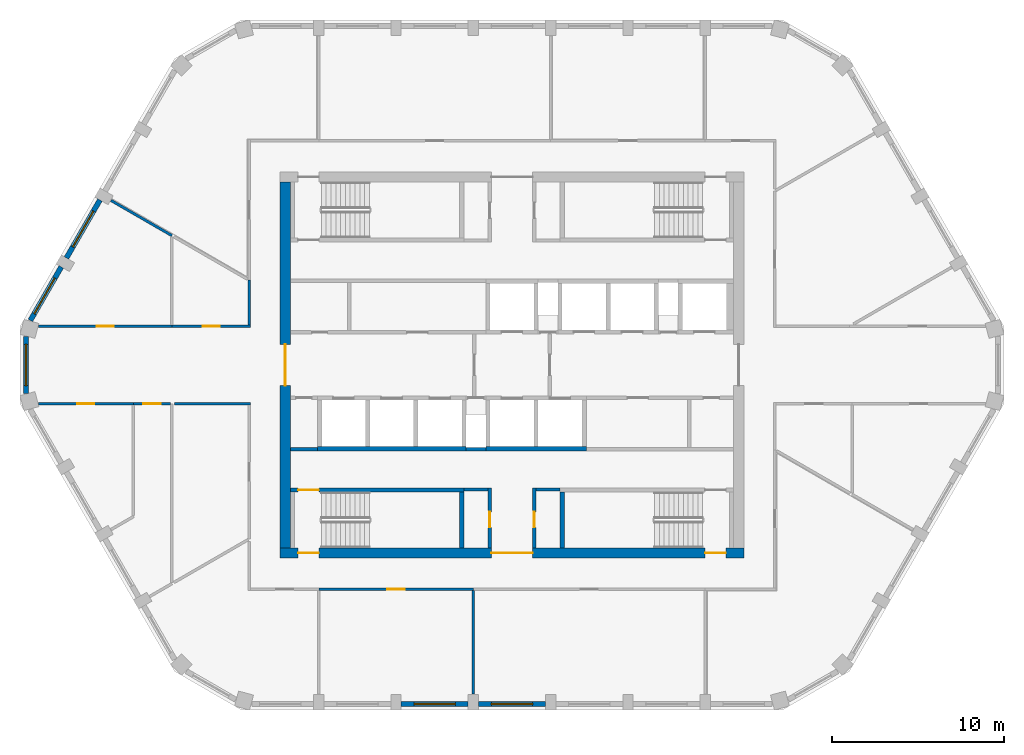
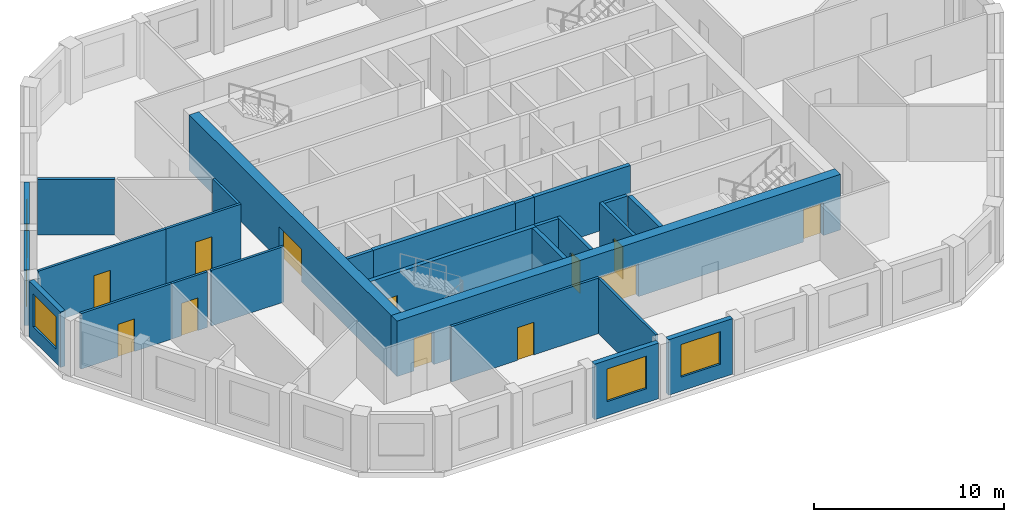
# One storey, part 2 of 10: 27 walls, 12 doors, 5 windows, 17 openings.
"""IFC4 building model written with IfcOpenShell, lengths in metres."""

from ifc_helpers import new_model, si_unit, direction, frame, frame_2d, origin, place, context, subcontext, project, spatial, polyline, rectangle, outline, extrude, material, layer, layer_set, type_object, element, fill, save


model = new_model("IFC4")

# Units and contexts
model_context = context("Model", 3, precision=1e-05, world=origin(), true_north=direction((0.0, 1.0)))
body_context = subcontext(model_context, "Body", "Model", "MODEL_VIEW")
ifc_project = project(units=[si_unit("LENGTHUNIT", "METRE"), si_unit("AREAUNIT", "SQUARE_METRE"), si_unit("VOLUMEUNIT", "CUBIC_METRE"), si_unit("PLANEANGLEUNIT", "RADIAN"), si_unit("MASSUNIT", "GRAM", prefix="KILO")], contexts=[model_context])

# Site, building, storey
site_placement = place(None, origin())
site = spatial("IfcSite", under=ifc_project, at=site_placement, CompositionType="ELEMENT")
building_placement = place(site_placement, origin())
building = spatial("IfcBuilding", under=site, at=building_placement, Name="Dhurran Vertical Campus", CompositionType="ELEMENT")
storey_placement = place(building_placement, frame((0.0, 0.0, 298.199951171875)))
storey = spatial("IfcBuildingStorey", under=building, at=storey_placement, Name="L74", CompositionType="ELEMENT", Elevation=298.199951171875)

# Wall, opening, window
ifc_material_1 = material(Name="Precast concrete C50/60", Category="concrete")
ifc_layer_1 = layer(ifc_material_1, 0.300048828125)
ifc_layer_set_1 = layer_set([ifc_layer_1], Name="Precast concrete C50/60")
wall_type_1 = type_object("IfcWallType", Name="Precast spandrel wall 300", PredefinedType="SOLIDWALL", material=ifc_layer_set_1)
wall_1_placement = place(storey_placement, frame((-6.449462890625, -19.738525390625, 0.0), z_axis=(0.0, 0.0, 1.0), x_axis=(1.0, 0.0, 0.0)))
wall_1 = element("IfcWall", 1, at=wall_1_placement, inside=storey, type_object=wall_type_1, Name="EW1 L74.02", PredefinedType="SOLIDWALL", context=body_context, shape_type="SweptSolid", body=[
    extrude(rectangle(XDim=3.89892578125, YDim=0.300048828125, at=frame_2d((1.949462890625, 0.0))), origin(), (0.0, 0.0, 1.0), 3.574951171875),
])
opening_1_placement = place(wall_1_placement, frame((0.74951171875, 0.0, 0.89990234375)))
opening_1 = element("IfcOpeningElement", 2, at=opening_1_placement, cuts=wall_1, Name="Opening WT1", PredefinedType="OPENING", context=body_context, shape_type="SweptSolid", body=[
    extrude(rectangle(XDim=2.39990234375, YDim=2.10009765625, at=frame_2d((1.199951171875, 1.050048828125))), frame((0.0, 0.159912109375, 0.0), z_axis=(0.0, -1.0, 0.0), x_axis=(1.0, 0.0, 0.0)), (0.0, 0.0, 1.0), 0.320068359375),
])
ifc_material_2 = material(Name="Aluminium frame with solar-control glass", Category="aluminium")
window_type = type_object("IfcWindowType", Name="Punched window 2400 x 2100", PartitioningType="SINGLE_PANEL", PredefinedType="WINDOW", material=ifc_material_2)
window_1_placement = place(opening_1_placement, origin())
window_1 = element("IfcWindow", 3, at=window_1_placement, inside=storey, type_object=window_type, Name="WT1 L74.02", OverallHeight=2.10009765625, OverallWidth=2.39990234375, PartitioningType="SINGLE_PANEL", PredefinedType="WINDOW", context=body_context, shape_type="SweptSolid", body=[
    extrude(rectangle(XDim=2.39990234375, YDim=2.10009765625, at=frame_2d((1.199951171875, 1.050048828125))), frame((0.0, 0.030029296875, 0.0), z_axis=(0.0, -1.0, 0.0), x_axis=(1.0, 0.0, 0.0)), (0.0, 0.0, 1.0), 0.06005859375),
])
fill(opening_1, window_1)

wall_2_placement = place(storey_placement, frame((-1.949462890625, -19.738525390625, 0.0), z_axis=(0.0, 0.0, 1.0), x_axis=(1.0, 0.0, 0.0)))
wall_2 = element("IfcWall", 4, at=wall_2_placement, inside=storey, type_object=wall_type_1, Name="EW1 L74.03", PredefinedType="SOLIDWALL", context=body_context, shape_type="SweptSolid", body=[
    extrude(rectangle(XDim=3.89892578125, YDim=0.300048828125, at=frame_2d((1.949462890625, 0.0))), origin(), (0.0, 0.0, 1.0), 3.574951171875),
])
opening_2_placement = place(wall_2_placement, frame((0.74951171875, 0.0, 0.89990234375)))
opening_2 = element("IfcOpeningElement", 5, at=opening_2_placement, cuts=wall_2, Name="Opening WT1", PredefinedType="OPENING", context=body_context, shape_type="SweptSolid", body=[
    extrude(rectangle(XDim=2.39990234375, YDim=2.10009765625, at=frame_2d((1.199951171875, 1.050048828125))), frame((0.0, 0.159912109375, 0.0), z_axis=(0.0, -1.0, 0.0), x_axis=(1.0, 0.0, 0.0)), (0.0, 0.0, 1.0), 0.320068359375),
])
window_2_placement = place(opening_2_placement, origin())
window_2 = element("IfcWindow", 6, at=window_2_placement, inside=storey, type_object=window_type, Name="WT1 L74.03", OverallHeight=2.10009765625, OverallWidth=2.39990234375, PartitioningType="SINGLE_PANEL", PredefinedType="WINDOW", context=body_context, shape_type="SweptSolid", body=[
    extrude(rectangle(XDim=2.39990234375, YDim=2.10009765625, at=frame_2d((1.199951171875, 1.050048828125))), frame((0.0, 0.030029296875, 0.0), z_axis=(0.0, -1.0, 0.0), x_axis=(1.0, 0.0, 0.0)), (0.0, 0.0, 1.0), 0.06005859375),
])
fill(opening_2, window_2)

wall_3_placement = place(storey_placement, frame((-23.994384765625, 9.60888671875, 0.0), z_axis=(0.0, 0.0, 1.0), x_axis=(-0.500011542666, -0.866018739521, 0.0)))
wall_3 = element("IfcWall", 7, at=wall_3_placement, inside=storey, type_object=wall_type_1, Name="EW1 L74.28", PredefinedType="SOLIDWALL", context=body_context, shape_type="SweptSolid", body=[
    extrude(rectangle(XDim=3.89892578125, YDim=0.300048828125, at=frame_2d((1.949462890625, 0.0))), origin(), (0.0, 0.0, 1.0), 3.574951171875),
])
opening_3_placement = place(wall_3_placement, frame((0.74951171875, 0.0, 0.89990234375)))
opening_3 = element("IfcOpeningElement", 8, at=opening_3_placement, cuts=wall_3, Name="Opening WT1", PredefinedType="OPENING", context=body_context, shape_type="SweptSolid", body=[
    extrude(rectangle(XDim=2.39990234375, YDim=2.10009765625, at=frame_2d((1.199951171875, 1.050048828125))), frame((0.0, 0.159912109375, 0.0), z_axis=(0.0, -1.0, 0.0), x_axis=(1.0, 0.0, 0.0)), (0.0, 0.0, 1.0), 0.320068359375),
])
window_3_placement = place(opening_3_placement, origin())
window_3 = element("IfcWindow", 9, at=window_3_placement, inside=storey, type_object=window_type, Name="WT1 L74.28", OverallHeight=2.10009765625, OverallWidth=2.39990234375, PartitioningType="SINGLE_PANEL", PredefinedType="WINDOW", context=body_context, shape_type="SweptSolid", body=[
    extrude(rectangle(XDim=2.39990234375, YDim=2.10009765625, at=frame_2d((1.199951171875, 1.050048828125))), frame((0.0, 0.030029296875, 0.0), z_axis=(0.0, -1.0, 0.0), x_axis=(1.0, 0.0, 0.0)), (0.0, 0.0, 1.0), 0.06005859375),
])
fill(opening_3, window_3)

wall_4_placement = place(storey_placement, frame((-26.244384765625, 5.7119140625, 0.0), z_axis=(0.0, 0.0, 1.0), x_axis=(-0.499969057507, -0.866043267704, 0.0)))
wall_4 = element("IfcWall", 10, at=wall_4_placement, inside=storey, type_object=wall_type_1, Name="EW1 L74.29", PredefinedType="SOLIDWALL", context=body_context, shape_type="SweptSolid", body=[
    extrude(rectangle(XDim=3.599365234375, YDim=0.300048828125, at=frame_2d((1.7998046875, 0.0))), origin(), (0.0, 0.0, 1.0), 3.574951171875),
])
opening_4_placement = place(wall_4_placement, frame((0.74951171875, 0.0, 0.89990234375)))
opening_4 = element("IfcOpeningElement", 11, at=opening_4_placement, cuts=wall_4, Name="Opening WT1", PredefinedType="OPENING", context=body_context, shape_type="SweptSolid", body=[
    extrude(rectangle(XDim=2.39990234375, YDim=2.10009765625, at=frame_2d((1.199951171875, 1.050048828125))), frame((0.0, 0.159912109375, 0.0), z_axis=(0.0, -1.0, 0.0), x_axis=(1.0, 0.0, 0.0)), (0.0, 0.0, 1.0), 0.320068359375),
])
window_4_placement = place(opening_4_placement, origin())
window_4 = element("IfcWindow", 12, at=window_4_placement, inside=storey, type_object=window_type, Name="WT1 L74.29", OverallHeight=2.10009765625, OverallWidth=2.39990234375, PartitioningType="SINGLE_PANEL", PredefinedType="WINDOW", context=body_context, shape_type="SweptSolid", body=[
    extrude(rectangle(XDim=2.39990234375, YDim=2.10009765625, at=frame_2d((1.199951171875, 1.050048828125))), frame((0.0, 0.030029296875, 0.0), z_axis=(0.0, -1.0, 0.0), x_axis=(1.0, 0.0, 0.0)), (0.0, 0.0, 1.0), 0.06005859375),
])
fill(opening_4, window_4)

wall_5_placement = place(storey_placement, frame((-28.297119140625, 1.64990234375, 0.0), z_axis=(0.0, 0.0, 1.0), x_axis=(0.0, -1.0, 0.0)))
wall_5 = element("IfcWall", 13, at=wall_5_placement, inside=storey, type_object=wall_type_1, Name="EW1 L74.30", PredefinedType="SOLIDWALL", context=body_context, shape_type="SweptSolid", body=[
    extrude(rectangle(XDim=3.2998046875, YDim=0.300048828125, at=frame_2d((1.64990234375, 0.0))), origin(), (0.0, 0.0, 1.0), 3.574951171875),
])
opening_5_placement = place(wall_5_placement, frame((0.449951171875, 0.0, 0.89990234375)))
opening_5 = element("IfcOpeningElement", 14, at=opening_5_placement, cuts=wall_5, Name="Opening WT1", PredefinedType="OPENING", context=body_context, shape_type="SweptSolid", body=[
    extrude(rectangle(XDim=2.39990234375, YDim=2.10009765625, at=frame_2d((1.199951171875, 1.050048828125))), frame((0.0, 0.159912109375, 0.0), z_axis=(0.0, -1.0, 0.0), x_axis=(1.0, 0.0, 0.0)), (0.0, 0.0, 1.0), 0.320068359375),
])
window_5_placement = place(opening_5_placement, origin())
window_5 = element("IfcWindow", 15, at=window_5_placement, inside=storey, type_object=window_type, Name="WT1 L74.30", OverallHeight=2.10009765625, OverallWidth=2.39990234375, PartitioningType="SINGLE_PANEL", PredefinedType="WINDOW", context=body_context, shape_type="SweptSolid", body=[
    extrude(rectangle(XDim=2.39990234375, YDim=2.10009765625, at=frame_2d((1.199951171875, 1.050048828125))), frame((0.0, 0.030029296875, 0.0), z_axis=(0.0, -1.0, 0.0), x_axis=(1.0, 0.0, 0.0)), (0.0, 0.0, 1.0), 0.06005859375),
])
fill(opening_5, window_5)

# Wall, openings, doors
ifc_material_3 = material(Name="Concrete C50/60", Category="concrete")
ifc_layer_2 = layer(ifc_material_3, 0.60009765625)
ifc_layer_set_2 = layer_set([ifc_layer_2], Name="Concrete C50/60")
wall_type_2 = type_object("IfcWallType", Name="co-CORE-WALL-C2-600", PredefinedType="SHEAR", material=ifc_layer_set_2)
wall_6_placement = place(storey_placement, frame((-13.5, -10.949951171875, 0.0), z_axis=(0.0, 0.0, 1.0), x_axis=(1.0, 0.0, 0.0)))
wall_6 = element("IfcWall", 16, at=wall_6_placement, inside=storey, type_object=wall_type_2, Name="Core wall S L74", PredefinedType="SHEAR", context=body_context, shape_type="SweptSolid", body=[
    extrude(rectangle(XDim=27.0, YDim=0.60009765625, at=frame_2d((13.5, 0.0))), origin(), (0.0, 0.0, 1.0), 3.574951171875),
])
opening_6_placement = place(wall_6_placement, frame((12.300048828125, 0.0, 0.0)))
opening_6 = element("IfcOpeningElement", 17, at=opening_6_placement, cuts=wall_6, Name="Opening CV2", PredefinedType="OPENING", context=body_context, shape_type="SweptSolid", body=[
    extrude(rectangle(XDim=2.39990234375, YDim=2.10009765625, at=frame_2d((1.199951171875, 1.050048828125))), frame((0.0, 0.31005859375, 0.0), z_axis=(0.0, -1.0, 0.0), x_axis=(1.0, 0.0, 0.0)), (0.0, 0.0, 1.0), 0.6201171875),
])
opening_7_placement = place(wall_6_placement, frame((1.050048828125, 0.0, 0.0)))
opening_7 = element("IfcOpeningElement", 18, at=opening_7_placement, cuts=wall_6, Name="Opening XD3", PredefinedType="OPENING", context=body_context, shape_type="SweptSolid", body=[
    extrude(rectangle(XDim=1.199951171875, YDim=2.10009765625, at=frame_2d((0.60009765625, 1.050048828125))), frame((0.0, 0.31005859375, 0.0), z_axis=(0.0, -1.0, 0.0), x_axis=(1.0, 0.0, 0.0)), (0.0, 0.0, 1.0), 0.6201171875),
])
opening_8_placement = place(wall_6_placement, frame((24.75, 0.0, 0.0)))
opening_8 = element("IfcOpeningElement", 19, at=opening_8_placement, cuts=wall_6, Name="Opening XD4", PredefinedType="OPENING", context=body_context, shape_type="SweptSolid", body=[
    extrude(rectangle(XDim=1.199951171875, YDim=2.10009765625, at=frame_2d((0.60009765625, 1.050048828125))), frame((0.0, 0.31005859375, 0.0), z_axis=(0.0, -1.0, 0.0), x_axis=(1.0, 0.0, 0.0)), (0.0, 0.0, 1.0), 0.6201171875),
])
ifc_material_4 = material(Name="Fire-rated glazed door set")
door_type_1 = type_object("IfcDoorType", Name="co-D-LOBBY 2400x2100", OperationType="DOUBLE_DOOR_DOUBLE_SWING", PredefinedType="DOOR", material=ifc_material_4)
door_1_placement = place(opening_6_placement, origin())
door_1 = element("IfcDoor", 20, at=door_1_placement, inside=storey, type_object=door_type_1, Name="Core vestibule door S L74", OperationType="DOUBLE_DOOR_DOUBLE_SWING", OverallHeight=2.10009765625, OverallWidth=2.39990234375, PredefinedType="DOOR", context=body_context, shape_type="SweptSolid", body=[
    extrude(rectangle(XDim=2.39990234375, YDim=2.10009765625, at=frame_2d((1.199951171875, 1.050048828125))), frame((0.0, 0.02490234375, 0.0), z_axis=(0.0, -1.0, 0.0), x_axis=(1.0, 0.0, 0.0)), (0.0, 0.0, 1.0), 0.050048828125),
])
fill(opening_6, door_1)
ifc_material_5 = material(Name="Fire-rated steel door set", Category="steel")
door_type_2 = type_object("IfcDoorType", Name="co-D-STAIR-EXIT 1200x2100", OperationType="SINGLE_SWING_RIGHT", PredefinedType="DOOR", material=ifc_material_5)
door_2_placement = place(opening_7_placement, origin())
door_2 = element("IfcDoor", 21, at=door_2_placement, inside=storey, type_object=door_type_2, Name="Stair ST3 exit door L74", OperationType="SINGLE_SWING_RIGHT", OverallHeight=2.10009765625, OverallWidth=1.199951171875, PredefinedType="DOOR", context=body_context, shape_type="SweptSolid", body=[
    extrude(rectangle(XDim=1.199951171875, YDim=2.10009765625, at=frame_2d((0.60009765625, 1.050048828125))), frame((0.0, 0.02490234375, 0.0), z_axis=(0.0, -1.0, 0.0), x_axis=(1.0, 0.0, 0.0)), (0.0, 0.0, 1.0), 0.050048828125),
])
fill(opening_7, door_2)
door_3_placement = place(opening_8_placement, origin())
door_3 = element("IfcDoor", 22, at=door_3_placement, inside=storey, type_object=door_type_2, Name="Stair ST4 exit door L74", OperationType="SINGLE_SWING_RIGHT", OverallHeight=2.10009765625, OverallWidth=1.199951171875, PredefinedType="DOOR", context=body_context, shape_type="SweptSolid", body=[
    extrude(rectangle(XDim=1.199951171875, YDim=2.10009765625, at=frame_2d((0.60009765625, 1.050048828125))), frame((0.0, 0.02490234375, 0.0), z_axis=(0.0, -1.0, 0.0), x_axis=(1.0, 0.0, 0.0)), (0.0, 0.0, 1.0), 0.050048828125),
])
fill(opening_8, door_3)

# Wall, opening, door
wall_7_placement = place(storey_placement, frame((-13.199951171875, -10.64990234375, 0.0), z_axis=(0.0, 0.0, 1.0), x_axis=(0.0, 1.0, 0.0)))
wall_7 = element("IfcWall", 23, at=wall_7_placement, inside=storey, type_object=wall_type_2, Name="Core wall W L74", PredefinedType="SHEAR", context=body_context, shape_type="SweptSolid", body=[
    extrude(rectangle(XDim=21.2998046875, YDim=0.60009765625, at=frame_2d((10.64990234375, 0.0))), origin(), (0.0, 0.0, 1.0), 3.574951171875),
])
opening_9_placement = place(wall_7_placement, frame((9.449951171875, 0.0, 0.0)))
opening_9 = element("IfcOpeningElement", 24, at=opening_9_placement, cuts=wall_7, Name="Opening CL1", PredefinedType="OPENING", context=body_context, shape_type="SweptSolid", body=[
    extrude(rectangle(XDim=2.39990234375, YDim=2.10009765625, at=frame_2d((1.199951171875, 1.050048828125))), frame((0.0, 0.31005859375, 0.0), z_axis=(0.0, -1.0, 0.0), x_axis=(1.0, 0.0, 0.0)), (0.0, 0.0, 1.0), 0.6201171875),
])
door_4_placement = place(opening_9_placement, origin())
door_4 = element("IfcDoor", 25, at=door_4_placement, inside=storey, type_object=door_type_1, Name="Lift lobby door W L74", OperationType="DOUBLE_DOOR_DOUBLE_SWING", OverallHeight=2.10009765625, OverallWidth=2.39990234375, PredefinedType="DOOR", context=body_context, shape_type="SweptSolid", body=[
    extrude(rectangle(XDim=2.39990234375, YDim=2.10009765625, at=frame_2d((1.199951171875, 1.050048828125))), frame((0.0, 0.02490234375, 0.0), z_axis=(0.0, -1.0, 0.0), x_axis=(1.0, 0.0, 0.0)), (0.0, 0.0, 1.0), 0.050048828125),
])
fill(opening_9, door_4)

# Walls
ifc_material_6 = material(Name="Fire-rated masonry blockwork", Category="masonry")
ifc_layer_3 = layer(ifc_material_6, 0.199951171875)
ifc_layer_set_3 = layer_set([ifc_layer_3], Name="Fire-rated masonry blockwork")
wall_type_3 = type_object("IfcWallType", Name="co-FIRE-PARTITION-200", PredefinedType="PARTITIONING", material=ifc_layer_set_3)
for number, where, z_axis, x_axis, name in (
    (26, (-2.800048828125, -7.25, 0.0), (0.0, 0.0, 1.0), (1.0, 0.0, 0.0), "Core partition sl-SW-S L74"),
    (27, (1.39990234375, -7.25, 0.0), (0.0, 0.0, 1.0), (1.0, 0.0, 0.0), "Core partition sl-SE-S L74"),
):
    element("IfcWall", number, at=place(storey_placement, frame(where, z_axis=z_axis, x_axis=x_axis)), inside=storey, type_object=wall_type_3, Name=name, PredefinedType="PARTITIONING", context=body_context, shape_type="SweptSolid", body=[
        extrude(rectangle(XDim=1.400146484375, YDim=0.199951171875, at=frame_2d((0.7001953125, 0.0))), origin(), (0.0, 0.0, 1.0), 3.574951171875),
    ])

# Wall, opening, door
wall_8_placement = place(storey_placement, frame((-1.300048828125, -10.64990234375, 0.0), z_axis=(0.0, 0.0, 1.0), x_axis=(0.0, 1.0, 0.0)))
wall_8 = element("IfcWall", 28, at=wall_8_placement, inside=storey, type_object=wall_type_3, Name="Core partition vest-SW L74", PredefinedType="PARTITIONING", context=body_context, shape_type="SweptSolid", body=[
    extrude(rectangle(XDim=3.5, YDim=0.199951171875, at=frame_2d((1.75, 0.0))), origin(), (0.0, 0.0, 1.0), 3.574951171875),
])
opening_10_placement = place(wall_8_placement, frame((1.199951171875, 0.0, 0.0)))
opening_10 = element("IfcOpeningElement", 29, at=opening_10_placement, cuts=wall_8, Name="Opening T22-C1", PredefinedType="OPENING", context=body_context, shape_type="SweptSolid", body=[
    extrude(rectangle(XDim=0.89990234375, YDim=2.10009765625, at=frame_2d((0.449951171875, 1.050048828125))), frame((0.0, 0.10986328125, 0.0), z_axis=(0.0, -1.0, 0.0), x_axis=(1.0, 0.0, 0.0)), (0.0, 0.0, 1.0), 0.219970703125),
])
ifc_material_7 = material(Name="Fire-rated timber door set", Category="wood")
door_type_3 = type_object("IfcDoorType", Name="co-D-ROOM 900x2100", OperationType="SINGLE_SWING_LEFT", PredefinedType="DOOR", material=ifc_material_7)
door_5_placement = place(opening_10_placement, origin())
door_5 = element("IfcDoor", 30, at=door_5_placement, inside=storey, type_object=door_type_3, Name="Housekeeping store door L74", OperationType="SINGLE_SWING_LEFT", OverallHeight=2.10009765625, OverallWidth=0.89990234375, PredefinedType="DOOR", context=body_context, shape_type="SweptSolid", body=[
    extrude(rectangle(XDim=0.89990234375, YDim=2.10009765625, at=frame_2d((0.449951171875, 1.050048828125))), frame((0.0, 0.02490234375, 0.0), z_axis=(0.0, -1.0, 0.0), x_axis=(1.0, 0.0, 0.0)), (0.0, 0.0, 1.0), 0.050048828125),
])
fill(opening_10, door_5)

wall_9_placement = place(storey_placement, frame((1.300048828125, -10.64990234375, 0.0), z_axis=(0.0, 0.0, 1.0), x_axis=(0.0, 1.0, 0.0)))
wall_9 = element("IfcWall", 31, at=wall_9_placement, inside=storey, type_object=wall_type_3, Name="Core partition vest-SE L74", PredefinedType="PARTITIONING", context=body_context, shape_type="SweptSolid", body=[
    extrude(rectangle(XDim=3.5, YDim=0.199951171875, at=frame_2d((1.75, 0.0))), origin(), (0.0, 0.0, 1.0), 3.574951171875),
])
opening_11_placement = place(wall_9_placement, frame((1.199951171875, 0.0, 0.0)))
opening_11 = element("IfcOpeningElement", 32, at=opening_11_placement, cuts=wall_9, Name="Opening T22-C2", PredefinedType="OPENING", context=body_context, shape_type="SweptSolid", body=[
    extrude(rectangle(XDim=0.89990234375, YDim=2.10009765625, at=frame_2d((0.449951171875, 1.050048828125))), frame((0.0, 0.10986328125, 0.0), z_axis=(0.0, -1.0, 0.0), x_axis=(1.0, 0.0, 0.0)), (0.0, 0.0, 1.0), 0.219970703125),
])
door_6_placement = place(opening_11_placement, origin())
door_6 = element("IfcDoor", 33, at=door_6_placement, inside=storey, type_object=door_type_3, Name="Cleaner's store door L74", OperationType="SINGLE_SWING_LEFT", OverallHeight=2.10009765625, OverallWidth=0.89990234375, PredefinedType="DOOR", context=body_context, shape_type="SweptSolid", body=[
    extrude(rectangle(XDim=0.89990234375, YDim=2.10009765625, at=frame_2d((0.449951171875, 1.050048828125))), frame((0.0, 0.02490234375, 0.0), z_axis=(0.0, -1.0, 0.0), x_axis=(1.0, 0.0, 0.0)), (0.0, 0.0, 1.0), 0.050048828125),
])
fill(opening_11, door_6)

# Walls
wall_10_placement = place(storey_placement, frame((-12.89990234375, -4.89990234375, 0.0), z_axis=(0.0, 0.0, 1.0), x_axis=(1.0, 0.0, 0.0)))
element("IfcWall", 34, at=wall_10_placement, inside=storey, type_object=wall_type_3, Name="Core partition fr-S0-b L74", PredefinedType="PARTITIONING", context=body_context, shape_type="SweptSolid", body=[
    extrude(rectangle(XDim=1.574951171875, YDim=0.199951171875, at=frame_2d((0.78759765625, 0.0))), origin(), (0.0, 0.0, 1.0), 3.574951171875),
])
wall_11_placement = place(storey_placement, frame((-2.675048828125, -4.89990234375, 0.0), z_axis=(0.0, 0.0, 1.0), x_axis=(1.0, 0.0, 0.0)))
element("IfcWall", 35, at=wall_11_placement, inside=storey, type_object=wall_type_3, Name="Core partition fr-S1-b L74", PredefinedType="PARTITIONING", context=body_context, shape_type="SweptSolid", body=[
    extrude(rectangle(XDim=1.150146484375, YDim=0.199951171875, at=frame_2d((0.5751953125, 0.0))), origin(), (0.0, 0.0, 1.0), 3.574951171875),
])
ifc_material_8 = material(Name="Concrete C50/60", Category="concrete")
ifc_layer_4 = layer(ifc_material_8, 0.25)
ifc_layer_set_4 = layer_set([ifc_layer_4], Name="Concrete C50/60")
wall_type_4 = type_object("IfcWallType", Name="co-SHAFT-MASS-250", PredefinedType="SHEAR", material=ifc_layer_set_4)
wall_12_placement = place(storey_placement, origin())
element("IfcWall", 36, at=wall_12_placement, inside=storey, type_object=wall_type_4, Name="Lift shaft wall S L74 1", PredefinedType="SHEAR", context=body_context, shape_type="SweptSolid", body=[
    extrude(outline(polyline([(-11.324951171875, -5.0), (-2.675048828125, -5.0), (-2.675048828125, -4.75), (-11.324951171875, -4.75), (-11.324951171875, -5.0)])), origin(), (0.0, 0.0, 1.0), 3.574951171875),
])
wall_13_placement = place(storey_placement, origin())
element("IfcWall", 37, at=wall_13_placement, inside=storey, type_object=wall_type_4, Name="Lift shaft wall S L74 2", PredefinedType="SHEAR", context=body_context, shape_type="SweptSolid", body=[
    extrude(outline(polyline([(-1.52490234375, -5.0), (4.324951171875, -5.0), (4.324951171875, -4.75), (-1.52490234375, -4.75), (-1.52490234375, -5.0)])), origin(), (0.0, 0.0, 1.0), 3.574951171875),
])

# Wall, opening, door
ifc_material_9 = material(Name="Concrete C40/50", Category="concrete")
ifc_layer_5 = layer(ifc_material_9, 0.25)
ifc_layer_set_5 = layer_set([ifc_layer_5], Name="Concrete C40/50")
wall_type_5 = type_object("IfcWallType", Name="co-STAIR-WALL-250", PredefinedType="SHEAR", material=ifc_layer_set_5)
wall_14_placement = place(storey_placement, frame((-12.89990234375, -7.27490234375, 0.0), z_axis=(0.0, 0.0, 1.0), x_axis=(1.0, 0.0, 0.0)))
wall_14 = element("IfcWall", 38, at=wall_14_placement, inside=storey, type_object=wall_type_5, Name="Stair ST3 enclosure wall L74", PredefinedType="SHEAR", context=body_context, shape_type="SweptSolid", body=[
    extrude(rectangle(XDim=10.099853515625, YDim=0.25, at=frame_2d((5.0498046875, 0.0))), origin(), (0.0, 0.0, 1.0), 3.574951171875),
])
opening_12_placement = place(wall_14_placement, frame((0.449951171875, 0.0, 0.0)))
opening_12 = element("IfcOpeningElement", 39, at=opening_12_placement, cuts=wall_14, Name="Opening SD3", PredefinedType="OPENING", context=body_context, shape_type="SweptSolid", body=[
    extrude(rectangle(XDim=1.199951171875, YDim=2.10009765625, at=frame_2d((0.60009765625, 1.050048828125))), frame((0.0, 0.135009765625, 0.0), z_axis=(0.0, -1.0, 0.0), x_axis=(1.0, 0.0, 0.0)), (0.0, 0.0, 1.0), 0.27001953125),
])
ifc_material_10 = material(Name="Fire-rated steel door set", Category="steel")
door_type_4 = type_object("IfcDoorType", Name="co-D-STAIR 1200x2100", OperationType="SINGLE_SWING_LEFT", PredefinedType="DOOR", material=ifc_material_10)
door_7_placement = place(opening_12_placement, origin())
door_7 = element("IfcDoor", 40, at=door_7_placement, inside=storey, type_object=door_type_4, Name="Stair ST3 door L74", OperationType="SINGLE_SWING_LEFT", OverallHeight=2.10009765625, OverallWidth=1.199951171875, PredefinedType="DOOR", context=body_context, shape_type="SweptSolid", body=[
    extrude(rectangle(XDim=1.199951171875, YDim=2.10009765625, at=frame_2d((0.60009765625, 1.050048828125))), frame((0.0, 0.02490234375, 0.0), z_axis=(0.0, -1.0, 0.0), x_axis=(1.0, 0.0, 0.0)), (0.0, 0.0, 1.0), 0.050048828125),
])
fill(opening_12, door_7)

# Walls
for number, where, z_axis, x_axis, name in (
    (41, (-2.925048828125, -10.64990234375, 0.0), (0.0, 0.0, 1.0), (0.0, 1.0, 0.0), "Stair ST3 enclosure wall L74"),
    (42, (2.925048828125, -10.64990234375, 0.0), (0.0, 0.0, 1.0), (0.0, 1.0, 0.0), "Stair ST4 enclosure wall L74"),
):
    element("IfcWall", number, at=place(storey_placement, frame(where, z_axis=z_axis, x_axis=x_axis)), inside=storey, type_object=wall_type_5, Name=name, PredefinedType="SHEAR", context=body_context, shape_type="SweptSolid", body=[
        extrude(rectangle(XDim=3.25, YDim=0.25, at=frame_2d((1.625, 0.0))), origin(), (0.0, 0.0, 1.0), 3.574951171875),
    ])

# Wall, opening, door
ifc_material_11 = material(Name="Gypsum board corridor wall on steel studs", Category="steel")
ifc_layer_6 = layer(ifc_material_11, 0.14990234375)
ifc_layer_set_6 = layer_set([ifc_layer_6], Name="Gypsum board corridor wall on steel studs")
wall_type_6 = type_object("IfcWallType", Name="fl-CW-150 corridor wall", PredefinedType="PARTITIONING", material=ifc_layer_set_6)
wall_15_placement = place(storey_placement, frame((-22.050048828125, -2.25, 0.0), z_axis=(0.0, 0.0, 1.0), x_axis=(-1.0, 0.0, 0.0)))
wall_15 = element("IfcWall", 43, at=wall_15_placement, inside=storey, type_object=wall_type_6, Name="Partition 74-01", PredefinedType="PARTITIONING", context=body_context, shape_type="SweptSolid", body=[
    extrude(rectangle(XDim=5.519775390625, YDim=0.14990234375, at=frame_2d((2.759765625, 0.0))), origin(), (0.0, 0.0, 1.0), 3.574951171875),
])
opening_13_placement = place(wall_15_placement, frame((2.260009765625, 0.0, 0.0)))
opening_13 = element("IfcOpeningElement", 44, at=opening_13_placement, cuts=wall_15, Name="Opening T22.01", PredefinedType="OPENING", context=body_context, shape_type="SweptSolid", body=[
    extrude(rectangle(XDim=1.0, YDim=2.10009765625, at=frame_2d((0.5, 1.050048828125))), frame((0.0, 0.0849609375, 0.0), z_axis=(0.0, -1.0, 0.0), x_axis=(1.0, 0.0, 0.0)), (0.0, 0.0, 1.0), 0.169921875),
])
ifc_material_12 = material(Name="Solid-core timber door set, fire-rated", Category="wood")
door_type_5 = type_object("IfcDoorType", Name="fl-D-1000x2100", OperationType="SINGLE_SWING_LEFT", PredefinedType="DOOR", material=ifc_material_12)
door_8_placement = place(opening_13_placement, origin())
door_8 = element("IfcDoor", 45, at=door_8_placement, inside=storey, type_object=door_type_5, Name="Door 74.01", OperationType="SINGLE_SWING_LEFT", OverallHeight=2.10009765625, OverallWidth=1.0, PredefinedType="DOOR", context=body_context, shape_type="SweptSolid", body=[
    extrude(rectangle(XDim=1.0, YDim=2.10009765625, at=frame_2d((0.5, 1.050048828125))), frame((0.0, 0.02490234375, 0.0), z_axis=(0.0, -1.0, 0.0), x_axis=(1.0, 0.0, 0.0)), (0.0, 0.0, 1.0), 0.050048828125),
])
fill(opening_13, door_8)

wall_16_placement = place(storey_placement, frame((-27.56982421875, 2.25, 0.0), z_axis=(0.0, 0.0, 1.0), x_axis=(1.0, 0.0, 0.0)))
wall_16 = element("IfcWall", 46, at=wall_16_placement, inside=storey, type_object=wall_type_6, Name="Partition 74-02", PredefinedType="PARTITIONING", context=body_context, shape_type="SweptSolid", body=[
    extrude(rectangle(XDim=7.769775390625, YDim=0.14990234375, at=frame_2d((3.884765625, 0.0))), origin(), (0.0, 0.0, 1.0), 3.574951171875),
])
opening_14_placement = place(wall_16_placement, frame((3.385009765625, 0.0, 0.0)))
opening_14 = element("IfcOpeningElement", 47, at=opening_14_placement, cuts=wall_16, Name="Opening T22.02", PredefinedType="OPENING", context=body_context, shape_type="SweptSolid", body=[
    extrude(rectangle(XDim=1.0, YDim=2.10009765625, at=frame_2d((0.5, 1.050048828125))), frame((0.0, 0.0849609375, 0.0), z_axis=(0.0, -1.0, 0.0), x_axis=(1.0, 0.0, 0.0)), (0.0, 0.0, 1.0), 0.169921875),
])
door_9_placement = place(opening_14_placement, origin())
door_9 = element("IfcDoor", 48, at=door_9_placement, inside=storey, type_object=door_type_5, Name="Door 74.02", OperationType="SINGLE_SWING_RIGHT", OverallHeight=2.10009765625, OverallWidth=1.0, PredefinedType="DOOR", context=body_context, shape_type="SweptSolid", body=[
    extrude(rectangle(XDim=1.0, YDim=2.10009765625, at=frame_2d((0.5, 1.050048828125))), frame((0.0, 0.02490234375, 0.0), z_axis=(0.0, -1.0, 0.0), x_axis=(1.0, 0.0, 0.0)), (0.0, 0.0, 1.0), 0.050048828125),
])
fill(opening_14, door_9)

wall_17_placement = place(storey_placement, frame((-19.876953125, -2.25, 0.0), z_axis=(0.0, 0.0, 1.0), x_axis=(-1.0, 0.0, 0.0)))
wall_17 = element("IfcWall", 49, at=wall_17_placement, inside=storey, type_object=wall_type_6, Name="Partition 74-06", PredefinedType="PARTITIONING", context=body_context, shape_type="SweptSolid", body=[
    extrude(rectangle(XDim=2.173095703125, YDim=0.14990234375, at=frame_2d((1.08642578125, 0.0))), origin(), (0.0, 0.0, 1.0), 3.574951171875),
])
opening_15_placement = place(wall_17_placement, frame((0.58642578125, 0.0, 0.0)))
opening_15 = element("IfcOpeningElement", 50, at=opening_15_placement, cuts=wall_17, Name="Opening T22.03", PredefinedType="OPENING", context=body_context, shape_type="SweptSolid", body=[
    extrude(rectangle(XDim=1.0, YDim=2.10009765625, at=frame_2d((0.5, 1.050048828125))), frame((0.0, 0.0849609375, 0.0), z_axis=(0.0, -1.0, 0.0), x_axis=(1.0, 0.0, 0.0)), (0.0, 0.0, 1.0), 0.169921875),
])
door_10_placement = place(opening_15_placement, origin())
door_10 = element("IfcDoor", 51, at=door_10_placement, inside=storey, type_object=door_type_5, Name="Door 74.03", OperationType="SINGLE_SWING_LEFT", OverallHeight=2.10009765625, OverallWidth=1.0, PredefinedType="DOOR", context=body_context, shape_type="SweptSolid", body=[
    extrude(rectangle(XDim=1.0, YDim=2.10009765625, at=frame_2d((0.5, 1.050048828125))), frame((0.0, 0.02490234375, 0.0), z_axis=(0.0, -1.0, 0.0), x_axis=(1.0, 0.0, 0.0)), (0.0, 0.0, 1.0), 0.050048828125),
])
fill(opening_15, door_10)

wall_18_placement = place(storey_placement, frame((-19.800048828125, 2.25, 0.0), z_axis=(0.0, 0.0, 1.0), x_axis=(1.0, 0.0, 0.0)))
wall_18 = element("IfcWall", 52, at=wall_18_placement, inside=storey, type_object=wall_type_6, Name="Partition 74-11", PredefinedType="PARTITIONING", context=body_context, shape_type="SweptSolid", body=[
    extrude(rectangle(XDim=4.574951171875, YDim=0.14990234375, at=frame_2d((2.28759765625, 0.0))), origin(), (0.0, 0.0, 1.0), 3.574951171875),
])
opening_16_placement = place(wall_18_placement, frame((1.78759765625, 0.0, 0.0)))
opening_16 = element("IfcOpeningElement", 53, at=opening_16_placement, cuts=wall_18, Name="Opening T22.04", PredefinedType="OPENING", context=body_context, shape_type="SweptSolid", body=[
    extrude(rectangle(XDim=1.0, YDim=2.10009765625, at=frame_2d((0.5, 1.050048828125))), frame((0.0, 0.0849609375, 0.0), z_axis=(0.0, -1.0, 0.0), x_axis=(1.0, 0.0, 0.0)), (0.0, 0.0, 1.0), 0.169921875),
])
door_11_placement = place(opening_16_placement, origin())
door_11 = element("IfcDoor", 54, at=door_11_placement, inside=storey, type_object=door_type_5, Name="Door 74.04", OperationType="SINGLE_SWING_RIGHT", OverallHeight=2.10009765625, OverallWidth=1.0, PredefinedType="DOOR", context=body_context, shape_type="SweptSolid", body=[
    extrude(rectangle(XDim=1.0, YDim=2.10009765625, at=frame_2d((0.5, 1.050048828125))), frame((0.0, 0.02490234375, 0.0), z_axis=(0.0, -1.0, 0.0), x_axis=(1.0, 0.0, 0.0)), (0.0, 0.0, 1.0), 0.050048828125),
])
fill(opening_16, door_11)

# Walls
wall_19_placement = place(storey_placement, frame((-15.22509765625, -2.25, 0.0), z_axis=(0.0, 0.0, 1.0), x_axis=(-1.0, 0.0, 0.0)))
element("IfcWall", 55, at=wall_19_placement, inside=storey, type_object=wall_type_6, Name="Partition 74-13", PredefinedType="PARTITIONING", context=body_context, shape_type="SweptSolid", body=[
    extrude(rectangle(XDim=4.421875, YDim=0.14990234375, at=frame_2d((2.2109375, 0.0))), origin(), (0.0, 0.0, 1.0), 3.574951171875),
])
wall_20_placement = place(storey_placement, frame((-15.300048828125, 4.93603515625, 0.0), z_axis=(0.0, 0.0, 1.0), x_axis=(0.0, -1.0, 0.0)))
element("IfcWall", 56, at=wall_20_placement, inside=storey, type_object=wall_type_6, Name="Partition 74-17", PredefinedType="PARTITIONING", context=body_context, shape_type="SweptSolid", body=[
    extrude(rectangle(XDim=2.611083984375, YDim=0.14990234375, at=frame_2d((1.3056640625, 0.0))), origin(), (0.0, 0.0, 1.0), 3.574951171875),
])

# Wall, opening, door
wall_21_placement = place(storey_placement, frame((-11.25, -13.050048828125, 0.0), z_axis=(0.0, 0.0, 1.0), x_axis=(1.0, 0.0, 0.0)))
wall_21 = element("IfcWall", 57, at=wall_21_placement, inside=storey, type_object=wall_type_6, Name="Partition 74-21", PredefinedType="PARTITIONING", context=body_context, shape_type="SweptSolid", body=[
    extrude(rectangle(XDim=9.0, YDim=0.14990234375, at=frame_2d((4.5, 0.0))), origin(), (0.0, 0.0, 1.0), 3.574951171875),
])
opening_17_placement = place(wall_21_placement, frame((4.0, 0.0, 0.0)))
opening_17 = element("IfcOpeningElement", 58, at=opening_17_placement, cuts=wall_21, Name="Opening T22.08", PredefinedType="OPENING", context=body_context, shape_type="SweptSolid", body=[
    extrude(rectangle(XDim=1.0, YDim=2.10009765625, at=frame_2d((0.5, 1.050048828125))), frame((0.0, 0.0849609375, 0.0), z_axis=(0.0, -1.0, 0.0), x_axis=(1.0, 0.0, 0.0)), (0.0, 0.0, 1.0), 0.169921875),
])
door_12_placement = place(opening_17_placement, origin())
door_12 = element("IfcDoor", 59, at=door_12_placement, inside=storey, type_object=door_type_5, Name="Door 74.08", OperationType="SINGLE_SWING_LEFT", OverallHeight=2.10009765625, OverallWidth=1.0, PredefinedType="DOOR", context=body_context, shape_type="SweptSolid", body=[
    extrude(rectangle(XDim=1.0, YDim=2.10009765625, at=frame_2d((0.5, 1.050048828125))), frame((0.0, 0.02490234375, 0.0), z_axis=(0.0, -1.0, 0.0), x_axis=(1.0, 0.0, 0.0)), (0.0, 0.0, 1.0), 0.050048828125),
])
fill(opening_17, door_12)

# Walls
ifc_material_13 = material(Name="Gypsum board partition on steel studs", Category="steel")
ifc_layer_7 = layer(ifc_material_13, 0.14990234375)
ifc_layer_set_7 = layer_set([ifc_layer_7], Name="Gypsum board partition on steel studs")
wall_type_7 = type_object("IfcWallType", Name="fl-PW-150 fixed partition", PredefinedType="PARTITIONING", material=ifc_layer_set_7)
wall_22_placement = place(storey_placement, frame((-23.350341796875, 9.583984375, 0.0), z_axis=(0.0, 0.0, 1.0), x_axis=(0.865995170514, -0.500052361904, 0.0)))
element("IfcWall", 60, at=wall_22_placement, inside=storey, type_object=wall_type_7, Name="Partition 74-04", PredefinedType="PARTITIONING", context=body_context, shape_type="SweptSolid", body=[
    extrude(rectangle(XDim=4.099609375, YDim=0.14990234375, at=frame_2d((2.0498046875, 0.0))), origin(), (0.0, 0.0, 1.0), 3.574951171875),
])
wall_23_placement = place(storey_placement, frame((-2.25, -13.125, 0.0), z_axis=(0.0, 0.0, 1.0), x_axis=(0.0, -1.0, 0.0)))
element("IfcWall", 61, at=wall_23_placement, inside=storey, type_object=wall_type_7, Name="Partition 74-24", PredefinedType="PARTITIONING", context=body_context, shape_type="SweptSolid", body=[
    extrude(rectangle(XDim=6.04345703125, YDim=0.14990234375, at=frame_2d((3.021728515625, 0.0))), origin(), (0.0, 0.0, 1.0), 3.574951171875),
])

save(model, "model.ifc")
